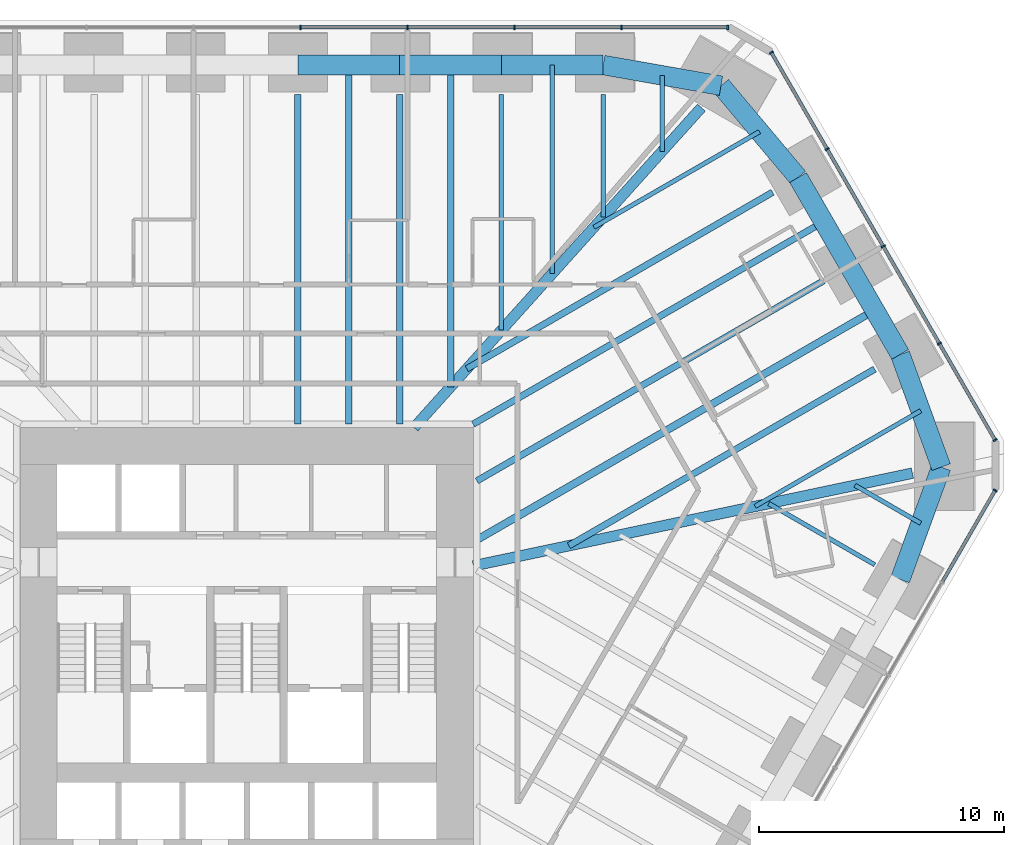
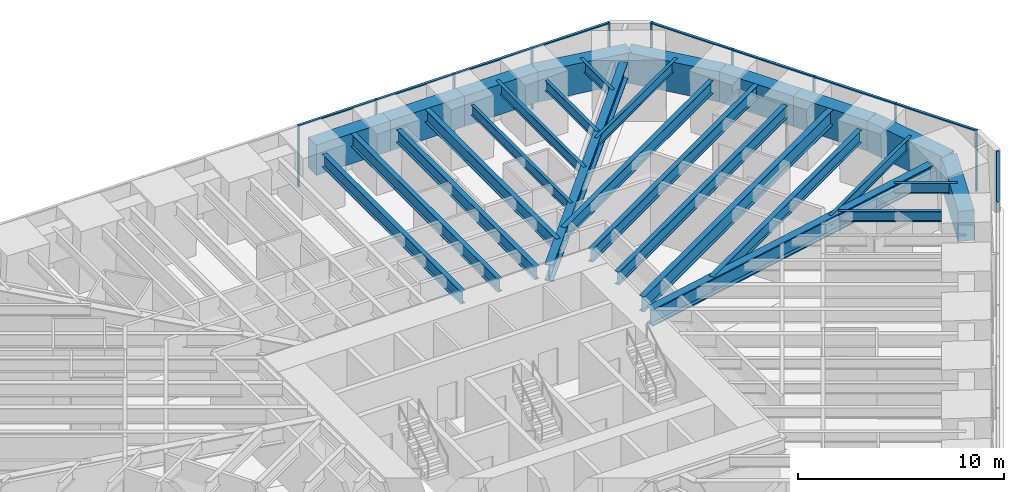
# One storey, part 9 of 17: 28 beams, 20 members, 3 elements without a shape of their own.
"""IFC4 building model written with IfcOpenShell, lengths in metres."""

from ifc_helpers import new_model, si_unit, direction, frame, origin, origin_2d, place, context, subcontext, project, spatial, rectangle, i_section, extrude, material, material_profile, profile_set, type_object, element, aggregate, save


model = new_model("IFC4")

# Units and contexts
model_context = context("Model", 3, precision=1e-05, world=origin(), true_north=direction((0.0, 1.0)))
body_context = subcontext(model_context, "Body", "Model", "MODEL_VIEW")
ifc_project = project(units=[si_unit("LENGTHUNIT", "METRE"), si_unit("AREAUNIT", "SQUARE_METRE"), si_unit("VOLUMEUNIT", "CUBIC_METRE"), si_unit("PLANEANGLEUNIT", "RADIAN"), si_unit("MASSUNIT", "GRAM", prefix="KILO")], contexts=[model_context])

# Site, building, storey
site_placement = place(None, origin())
site = spatial("IfcSite", under=ifc_project, at=site_placement, CompositionType="ELEMENT")
building_placement = place(site_placement, origin())
building = spatial("IfcBuilding", under=site, at=building_placement, Name="Sandreach Pilgrim Tower", CompositionType="ELEMENT")
storey_placement = place(building_placement, frame((0.0, 0.0, 61.0)))
storey = spatial("IfcBuildingStorey", under=building, at=storey_placement, Name="L14", CompositionType="ELEMENT", Elevation=61.0)

# Curtain wall, members
ifc_material_1 = material(Name="Aluminium framed curtain wall", Category="aluminium")
curtain_wall_type = type_object("IfcCurtainWallType", Name="Hostel tower curtain wall", PredefinedType="NOTDEFINED", material=ifc_material_1)
curtain_wall_1_placement = place(storey_placement, origin())
curtain_wall_1 = element("IfcCurtainWall", 1, at=curtain_wall_1_placement, inside=storey, type_object=curtain_wall_type, Name="CW-1 L14 N", PredefinedType="NOTDEFINED")
ifc_material_2 = material(Name="Aluminium extrusion", Category="aluminium")
ifc_material_profile_1 = material_profile(ifc_material_2, rectangle(XDim=0.06494140625, YDim=0.179931640625, at=origin_2d()), Name="CW-1M 65X180")
ifc_profile_set_1 = profile_set([ifc_material_profile_1], Name="Aluminium extrusion")
member_type_1 = type_object("IfcMemberType", Name="CW-1 mullion", PredefinedType="MULLION", material=ifc_profile_set_1)
member_1_placement = place(storey_placement, frame((2.185791015625, 23.94873046875, 0.0), z_axis=(0.0, 0.0, 1.0), x_axis=(1.0, 0.0, 0.0)))
member_1 = element("IfcMember", 2, at=member_1_placement, type_object=member_type_1, Name="CW-1 mullion 6", PredefinedType="MULLION", context=body_context, shape_type="SweptSolid", body=[
    extrude(rectangle(XDim=0.06494140625, YDim=0.179931640625, at=origin_2d()), origin(), (0.0, 0.0, 1.0), 3.639892578125),
])
member_2_placement = place(storey_placement, frame((6.557373046875, 23.94873046875, 0.0), z_axis=(0.0, 0.0, 1.0), x_axis=(1.0, 0.0, 0.0)))
member_2 = element("IfcMember", 3, at=member_2_placement, type_object=member_type_1, Name="CW-1 mullion 7", PredefinedType="MULLION", context=body_context, shape_type="SweptSolid", body=[
    extrude(rectangle(XDim=0.06494140625, YDim=0.179931640625, at=origin_2d()), origin(), (0.0, 0.0, 1.0), 3.639892578125),
])
member_3_placement = place(storey_placement, frame((10.928955078125, 23.94873046875, 0.0), z_axis=(0.0, 0.0, 1.0), x_axis=(1.0, 0.0, 0.0)))
member_3 = element("IfcMember", 4, at=member_3_placement, type_object=member_type_1, Name="CW-1 mullion 8", PredefinedType="MULLION", context=body_context, shape_type="SweptSolid", body=[
    extrude(rectangle(XDim=0.06494140625, YDim=0.179931640625, at=origin_2d()), origin(), (0.0, 0.0, 1.0), 3.639892578125),
])
member_4_placement = place(storey_placement, frame((15.300537109375, 23.94873046875, 0.0), z_axis=(0.0, 0.0, 1.0), x_axis=(1.0, 0.0, 0.0)))
member_4 = element("IfcMember", 5, at=member_4_placement, type_object=member_type_1, Name="CW-1 mullion 9", PredefinedType="MULLION", context=body_context, shape_type="SweptSolid", body=[
    extrude(rectangle(XDim=0.06494140625, YDim=0.179931640625, at=origin_2d()), origin(), (0.0, 0.0, 1.0), 3.639892578125),
])
member_5_placement = place(storey_placement, frame((19.6396484375, 23.94873046875, 0.0), z_axis=(0.0, 0.0, 1.0), x_axis=(1.0, 0.0, 0.0)))
member_5 = element("IfcMember", 6, at=member_5_placement, type_object=member_type_1, Name="CW-1 mullion 10", PredefinedType="MULLION", context=body_context, shape_type="SweptSolid", body=[
    extrude(rectangle(XDim=0.06494140625, YDim=0.179931640625, at=origin_2d()), origin(), (0.0, 0.0, 1.0), 3.639892578125),
])

curtain_wall_2_placement = place(storey_placement, origin())
curtain_wall_2 = element("IfcCurtainWall", 7, at=curtain_wall_2_placement, inside=storey, type_object=curtain_wall_type, Name="CW-1 L14 NE", PredefinedType="NOTDEFINED")
member_6_placement = place(storey_placement, frame((21.42041015625, 22.920654296875, 0.0), z_axis=(0.0, 0.0, 1.0), x_axis=(0.5, -0.866025403784, 0.0)))
member_6 = element("IfcMember", 8, at=member_6_placement, type_object=member_type_1, Name="CW-1 mullion 1", PredefinedType="MULLION", context=body_context, shape_type="SweptSolid", body=[
    extrude(rectangle(XDim=0.06494140625, YDim=0.179931640625, at=origin_2d()), origin(), (0.0, 0.0, 1.0), 3.639892578125),
])
member_7_placement = place(storey_placement, frame((23.697265625, 18.97705078125, 0.0), z_axis=(0.0, 0.0, 1.0), x_axis=(0.5, -0.866025403784, 0.0)))
member_7 = element("IfcMember", 9, at=member_7_placement, type_object=member_type_1, Name="CW-1 mullion 2", PredefinedType="MULLION", context=body_context, shape_type="SweptSolid", body=[
    extrude(rectangle(XDim=0.06494140625, YDim=0.179931640625, at=origin_2d()), origin(), (0.0, 0.0, 1.0), 3.639892578125),
])
member_8_placement = place(storey_placement, frame((25.990234375, 15.00537109375, 0.0), z_axis=(0.0, 0.0, 1.0), x_axis=(0.5, -0.866025403784, 0.0)))
member_8 = element("IfcMember", 10, at=member_8_placement, type_object=member_type_1, Name="CW-1 mullion 3", PredefinedType="MULLION", context=body_context, shape_type="SweptSolid", body=[
    extrude(rectangle(XDim=0.06494140625, YDim=0.179931640625, at=origin_2d()), origin(), (0.0, 0.0, 1.0), 3.639892578125),
])
member_9_placement = place(storey_placement, frame((28.283203125, 11.03369140625, 0.0), z_axis=(0.0, 0.0, 1.0), x_axis=(0.5, -0.866025403784, 0.0)))
member_9 = element("IfcMember", 11, at=member_9_placement, type_object=member_type_1, Name="CW-1 mullion 4", PredefinedType="MULLION", context=body_context, shape_type="SweptSolid", body=[
    extrude(rectangle(XDim=0.06494140625, YDim=0.179931640625, at=origin_2d()), origin(), (0.0, 0.0, 1.0), 3.639892578125),
])
member_10_placement = place(storey_placement, frame((30.56005859375, 7.09033203125, 0.0), z_axis=(0.0, 0.0, 1.0), x_axis=(0.5, -0.866025403784, 0.0)))
member_10 = element("IfcMember", 12, at=member_10_placement, type_object=member_type_1, Name="CW-1 mullion 5", PredefinedType="MULLION", context=body_context, shape_type="SweptSolid", body=[
    extrude(rectangle(XDim=0.06494140625, YDim=0.179931640625, at=origin_2d()), origin(), (0.0, 0.0, 1.0), 3.639892578125),
])

# Curtain wall, member
curtain_wall_3_placement = place(storey_placement, origin())
curtain_wall_3 = element("IfcCurtainWall", 13, at=curtain_wall_3_placement, inside=storey, type_object=curtain_wall_type, Name="CW-1 L14 SE", PredefinedType="NOTDEFINED")
member_11_placement = place(storey_placement, frame((30.56005859375, 5.033935546875, 0.0), z_axis=(0.0, 0.0, 1.0), x_axis=(-0.5, -0.866025403784, 0.0)))
member_11 = element("IfcMember", 14, at=member_11_placement, type_object=member_type_1, Name="CW-1 mullion 1", PredefinedType="MULLION", context=body_context, shape_type="SweptSolid", body=[
    extrude(rectangle(XDim=0.06494140625, YDim=0.179931640625, at=origin_2d()), origin(), (0.0, 0.0, 1.0), 3.639892578125),
])

# Member
ifc_material_3 = material(Name="Aluminium extrusion", Category="aluminium")
ifc_material_profile_2 = material_profile(ifc_material_3, rectangle(XDim=0.139892578125, YDim=0.070068359375, at=origin_2d()), Name="CW-1T 140X70")
ifc_profile_set_2 = profile_set([ifc_material_profile_2], Name="Aluminium extrusion")
member_type_2 = type_object("IfcMemberType", Name="CW-1 transom", PredefinedType="USERDEFINED", material=ifc_profile_set_2)
member_12_placement = place(storey_placement, frame((2.21826171875, 23.94873046875, 3.60498046875), z_axis=(1.0, 0.0, 0.0), x_axis=(0.0, 1.0, 0.0)))
member_12 = element("IfcMember", 15, at=member_12_placement, type_object=member_type_2, Name="CW-1 head transom 6", ObjectType="TRANSOM", PredefinedType="USERDEFINED", context=body_context, shape_type="SweptSolid", body=[
    extrude(rectangle(XDim=0.139892578125, YDim=0.070068359375, at=origin_2d()), origin(), (0.0, 0.0, 1.0), 4.306640625),
])

member_13_placement = place(storey_placement, frame((6.58984375, 23.94873046875, 3.60498046875), z_axis=(1.0, 0.0, 0.0), x_axis=(0.0, 1.0, 0.0)))
member_13 = element("IfcMember", 16, at=member_13_placement, type_object=member_type_2, Name="CW-1 head transom 7", ObjectType="TRANSOM", PredefinedType="USERDEFINED", context=body_context, shape_type="SweptSolid", body=[
    extrude(rectangle(XDim=0.139892578125, YDim=0.070068359375, at=origin_2d()), origin(), (0.0, 0.0, 1.0), 4.306640625),
])

member_14_placement = place(storey_placement, frame((10.96142578125, 23.94873046875, 3.60498046875), z_axis=(1.0, 0.0, 0.0), x_axis=(0.0, 1.0, 0.0)))
member_14 = element("IfcMember", 17, at=member_14_placement, type_object=member_type_2, Name="CW-1 head transom 8", ObjectType="TRANSOM", PredefinedType="USERDEFINED", context=body_context, shape_type="SweptSolid", body=[
    extrude(rectangle(XDim=0.139892578125, YDim=0.070068359375, at=origin_2d()), origin(), (0.0, 0.0, 1.0), 4.306640625),
])

member_15_placement = place(storey_placement, frame((15.3330078125, 23.94873046875, 3.60498046875), z_axis=(1.0, 0.0, 0.0), x_axis=(0.0, 1.0, 0.0)))
member_15 = element("IfcMember", 18, at=member_15_placement, type_object=member_type_2, Name="CW-1 head transom 9", ObjectType="TRANSOM", PredefinedType="USERDEFINED", context=body_context, shape_type="SweptSolid", body=[
    extrude(rectangle(XDim=0.139892578125, YDim=0.070068359375, at=origin_2d()), origin(), (0.0, 0.0, 1.0), 4.274169921875),
])

aggregate(curtain_wall_1, [member_1, member_2, member_3, member_4, member_5, member_12, member_13, member_14, member_15])

member_16_placement = place(storey_placement, frame((21.4365234375, 22.892333984375, 3.60498046875), z_axis=(0.500017500808, -0.866015299452, 0.0), x_axis=(0.866015299452, 0.500017500808, 0.0)))
member_16 = element("IfcMember", 19, at=member_16_placement, type_object=member_type_2, Name="CW-1 head transom 1", ObjectType="TRANSOM", PredefinedType="USERDEFINED", context=body_context, shape_type="SweptSolid", body=[
    extrude(rectangle(XDim=0.139892578125, YDim=0.070068359375, at=origin_2d()), origin(), (0.0, 0.0, 1.0), 4.488525390625),
])

member_17_placement = place(storey_placement, frame((23.71337890625, 18.948974609375, 3.60498046875), z_axis=(0.500001366228, -0.866024614991, 0.0), x_axis=(0.866024614991, 0.500001366228, 0.0)))
member_17 = element("IfcMember", 20, at=member_17_placement, type_object=member_type_2, Name="CW-1 head transom 2", ObjectType="TRANSOM", PredefinedType="USERDEFINED", context=body_context, shape_type="SweptSolid", body=[
    extrude(rectangle(XDim=0.139892578125, YDim=0.070068359375, at=origin_2d()), origin(), (0.0, 0.0, 1.0), 4.52099609375),
])

member_18_placement = place(storey_placement, frame((26.00634765625, 14.977294921875, 3.60498046875), z_axis=(0.500001366228, -0.866024614991, 0.0), x_axis=(0.866024614991, 0.500001366228, 0.0)))
member_18 = element("IfcMember", 21, at=member_18_placement, type_object=member_type_2, Name="CW-1 head transom 3", ObjectType="TRANSOM", PredefinedType="USERDEFINED", context=body_context, shape_type="SweptSolid", body=[
    extrude(rectangle(XDim=0.139892578125, YDim=0.070068359375, at=origin_2d()), origin(), (0.0, 0.0, 1.0), 4.52099609375),
])

member_19_placement = place(storey_placement, frame((28.299560546875, 11.005615234375, 3.60498046875), z_axis=(0.499976706761, -0.866038851724, 0.0), x_axis=(0.866038851724, 0.499976706761, 0.0)))
member_19 = element("IfcMember", 22, at=member_19_placement, type_object=member_type_2, Name="CW-1 head transom 4", ObjectType="TRANSOM", PredefinedType="USERDEFINED", context=body_context, shape_type="SweptSolid", body=[
    extrude(rectangle(XDim=0.139892578125, YDim=0.070068359375, at=origin_2d()), origin(), (0.0, 0.0, 1.0), 4.488525390625),
])

aggregate(curtain_wall_2, [member_6, member_7, member_8, member_9, member_10, member_16, member_17, member_18, member_19])

member_20_placement = place(storey_placement, frame((30.543701171875, 5.005859375, 3.60498046875), z_axis=(-0.499991113271, -0.866030534479, 0.0), x_axis=(0.866030534479, -0.499991113271, 0.0)))
member_20 = element("IfcMember", 23, at=member_20_placement, type_object=member_type_2, Name="CW-1 head transom 1", ObjectType="TRANSOM", PredefinedType="USERDEFINED", context=body_context, shape_type="SweptSolid", body=[
    extrude(rectangle(XDim=0.139892578125, YDim=0.070068359375, at=origin_2d()), origin(), (0.0, 0.0, 1.0), 4.27392578125),
])

aggregate(curtain_wall_3, [member_11, member_20])

# Beams
ifc_material_4 = material(Name="Steel ASTM A992 Grade 50", Category="steel")
ifc_material_profile_3 = material_profile(ifc_material_4, i_section(OverallWidth=0.431884765625, OverallDepth=0.988037109375, WebThickness=0.034423828125, FlangeThickness=0.06201171875, at=origin_2d()), Name="W36X441")
ifc_profile_set_3 = profile_set([ifc_material_profile_3], Name="Steel ASTM A992 Grade 50")
beam_type_1 = type_object("IfcBeamType", Name="Corner girder W36X441", PredefinedType="BEAM", material=ifc_profile_set_3)
beam_1_placement = place(storey_placement, frame((18.5615234375, 20.671142578125, 3.14599609375), z_axis=(-0.668126629725, -0.744047583594, 0.0), x_axis=(0.744047583594, -0.668126629725, 0.0)))
element("IfcBeam", 24, at=beam_1_placement, inside=storey, type_object=beam_type_1, Name="BM L14 CG09", PredefinedType="BEAM", context=body_context, shape_type="SweptSolid", body=[
    extrude(i_section(OverallWidth=0.431884765625, OverallDepth=0.988037109375, WebThickness=0.034423828125, FlangeThickness=0.06201171875, at=origin_2d()), origin(), (0.0, 0.0, 1.0), 17.5673828125),
])
ifc_material_5 = material(Name="Steel ASTM A992 Grade 50", Category="steel")
ifc_material_profile_4 = material_profile(ifc_material_5, i_section(OverallWidth=0.434326171875, OverallDepth=0.998291015625, WebThickness=0.0380859375, FlangeThickness=0.068115234375, at=origin_2d()), Name="W36X487")
ifc_profile_set_4 = profile_set([ifc_material_profile_4], Name="Steel ASTM A992 Grade 50")
beam_type_2 = type_object("IfcBeamType", Name="Corner girder W36X487", PredefinedType="BEAM", material=ifc_profile_set_4)
beam_2_placement = place(storey_placement, frame((27.182373046875, 5.739013671875, 3.140869140625), z_axis=(-0.978429767066, -0.206579744696, 0.0), x_axis=(0.206579744696, -0.978429767066, 0.0)))
element("IfcBeam", 25, at=beam_2_placement, inside=storey, type_object=beam_type_2, Name="BM L14 CG13", PredefinedType="BEAM", context=body_context, shape_type="SweptSolid", body=[
    extrude(i_section(OverallWidth=0.434326171875, OverallDepth=0.998291015625, WebThickness=0.0380859375, FlangeThickness=0.068115234375, at=origin_2d()), origin(), (0.0, 0.0, 1.0), 18.32763671875),
])
ifc_material_6 = material(Name="Steel ASTM A992 Grade 50", Category="steel")
ifc_material_profile_5 = material_profile(ifc_material_6, i_section(OverallWidth=0.1787109375, OverallDepth=0.60205078125, WebThickness=0.010986328125, FlangeThickness=0.014892578125, at=origin_2d()), Name="W24X62")
ifc_profile_set_5 = profile_set([ifc_material_profile_5], Name="Steel ASTM A992 Grade 50")
beam_type_3 = type_object("IfcBeamType", Name="Floor beam W24X62", PredefinedType="BEAM", material=ifc_profile_set_5)
beam_3_placement = place(storey_placement, frame((10.395263671875, 21.20947265625, 3.339111328125), z_axis=(0.0, -1.0, 0.0), x_axis=(1.0, 0.0, 0.0)))
element("IfcBeam", 26, at=beam_3_placement, inside=storey, type_object=beam_type_3, Name="BM L14 F07", PredefinedType="BEAM", context=body_context, shape_type="SweptSolid", body=[
    extrude(i_section(OverallWidth=0.1787109375, OverallDepth=0.60205078125, WebThickness=0.010986328125, FlangeThickness=0.014892578125, at=origin_2d()), origin(), (0.0, 0.0, 1.0), 9.632568359375),
])
for number, where, z_axis, x_axis, name in (
    (27, (14.553466796875, 21.20947265625, 3.339111328125), (0.0, -1.0, 0.0), (1.0, 0.0, 0.0), "BM L14 F08"),
    (28, (25.64453125, 1.998779296875, 3.339111328125), (-0.866023836113, 0.500002715276, 0.0), (-0.500002715276, -0.866023836113, 0.0), "BM L14 F14"),
):
    element("IfcBeam", number, at=place(storey_placement, frame(where, z_axis=z_axis, x_axis=x_axis)), inside=storey, type_object=beam_type_3, Name=name, PredefinedType="BEAM", context=body_context, shape_type="SweptSolid", body=[
        extrude(i_section(OverallWidth=0.1787109375, OverallDepth=0.60205078125, WebThickness=0.010986328125, FlangeThickness=0.014892578125, at=origin_2d()), origin(), (0.0, 0.0, 1.0), 5.001953125),
    ])
beam_4_placement = place(storey_placement, frame((12.474365234375, 22.409423828125, 3.339111328125), z_axis=(0.0, -1.0, 0.0), x_axis=(1.0, 0.0, 0.0)))
element("IfcBeam", 29, at=beam_4_placement, inside=storey, type_object=beam_type_3, Name="BM L14 FM07", PredefinedType="BEAM", context=body_context, shape_type="SweptSolid", body=[
    extrude(i_section(OverallWidth=0.1787109375, OverallDepth=0.60205078125, WebThickness=0.010986328125, FlangeThickness=0.014892578125, at=origin_2d()), origin(), (0.0, 0.0, 1.0), 8.517333984375),
])
beam_5_placement = place(storey_placement, frame((16.958251953125, 21.98681640625, 3.339111328125), z_axis=(0.0, -1.0, 0.0), x_axis=(1.0, 0.0, 0.0)))
element("IfcBeam", 30, at=beam_5_placement, inside=storey, type_object=beam_type_3, Name="BM L14 FM08", PredefinedType="BEAM", context=body_context, shape_type="SweptSolid", body=[
    extrude(i_section(OverallWidth=0.1787109375, OverallDepth=0.60205078125, WebThickness=0.010986328125, FlangeThickness=0.014892578125, at=origin_2d()), origin(), (0.0, 0.0, 1.0), 3.10107421875),
])
beam_6_placement = place(storey_placement, frame((20.937255859375, 19.6884765625, 3.339111328125), z_axis=(-0.86603830438, -0.499977654847, 0.0), x_axis=(0.499977654847, -0.86603830438, 0.0)))
element("IfcBeam", 31, at=beam_6_placement, inside=storey, type_object=beam_type_3, Name="BM L14 FM09", PredefinedType="BEAM", context=body_context, shape_type="SweptSolid", body=[
    extrude(i_section(OverallWidth=0.1787109375, OverallDepth=0.60205078125, WebThickness=0.010986328125, FlangeThickness=0.014892578125, at=origin_2d()), origin(), (0.0, 0.0, 1.0), 7.811767578125),
])
beam_7_placement = place(storey_placement, frame((27.51953125, 8.287841796875, 3.339111328125), z_axis=(-0.866024771944, -0.500001094379, 0.0), x_axis=(0.500001094379, -0.866024771944, 0.0)))
element("IfcBeam", 32, at=beam_7_placement, inside=storey, type_object=beam_type_3, Name="BM L14 FM12", PredefinedType="BEAM", context=body_context, shape_type="SweptSolid", body=[
    extrude(i_section(OverallWidth=0.1787109375, OverallDepth=0.60205078125, WebThickness=0.010986328125, FlangeThickness=0.014892578125, at=origin_2d()), origin(), (0.0, 0.0, 1.0), 7.81201171875),
])
beam_8_placement = place(storey_placement, frame((27.520263671875, 3.69287109375, 3.339111328125), z_axis=(-0.86602039108, 0.500008682159, 0.0), x_axis=(-0.500008682159, -0.86602039108, 0.0)))
element("IfcBeam", 33, at=beam_8_placement, inside=storey, type_object=beam_type_3, Name="BM L14 FM13", PredefinedType="BEAM", context=body_context, shape_type="SweptSolid", body=[
    extrude(i_section(OverallWidth=0.1787109375, OverallDepth=0.60205078125, WebThickness=0.010986328125, FlangeThickness=0.014892578125, at=origin_2d()), origin(), (0.0, 0.0, 1.0), 3.10107421875),
])
ifc_material_7 = material(Name="Steel ASTM A992 Grade 50", Category="steel")
ifc_material_profile_6 = material_profile(ifc_material_7, i_section(OverallWidth=0.2666015625, OverallDepth=0.761962890625, WebThickness=0.014404296875, FlangeThickness=0.021484375, at=origin_2d()), Name="W30X116")
ifc_profile_set_6 = profile_set([ifc_material_profile_6], Name="Steel ASTM A992 Grade 50")
beam_type_4 = type_object("IfcBeamType", Name="Floor beam W30X116", PredefinedType="BEAM", material=ifc_profile_set_6)
for number, where, z_axis, x_axis, name in (
    (34, (2.0791015625, 21.20947265625, 3.259033203125), (0.0, -1.0, 0.0), (1.0, 0.0, 0.0), "BM L14 F05"),
    (35, (6.237060546875, 21.20947265625, 3.259033203125), (0.0, -1.0, 0.0), (1.0, 0.0, 0.0), "BM L14 F06"),
):
    element("IfcBeam", number, at=place(storey_placement, frame(where, z_axis=z_axis, x_axis=x_axis)), inside=storey, type_object=beam_type_4, Name=name, PredefinedType="BEAM", context=body_context, shape_type="SweptSolid", body=[
        extrude(i_section(OverallWidth=0.2666015625, OverallDepth=0.761962890625, WebThickness=0.014404296875, FlangeThickness=0.021484375, at=origin_2d()), origin(), (0.0, 0.0, 1.0), 13.466064453125),
    ])
beam_9_placement = place(storey_placement, frame((21.471923828125, 17.213134765625, 3.259033203125), z_axis=(-0.866026331101, -0.499998393838, 0.0), x_axis=(0.499998393838, -0.866026331101, 0.0)))
element("IfcBeam", 36, at=beam_9_placement, inside=storey, type_object=beam_type_4, Name="BM L14 F10", PredefinedType="BEAM", context=body_context, shape_type="SweptSolid", body=[
    extrude(i_section(OverallWidth=0.2666015625, OverallDepth=0.761962890625, WebThickness=0.014404296875, FlangeThickness=0.021484375, at=origin_2d()), origin(), (0.0, 0.0, 1.0), 14.423828125),
])
beam_10_placement = place(storey_placement, frame((25.64306640625, 9.98876953125, 3.259033203125), z_axis=(-0.866019001848, -0.500011088314, 0.0), x_axis=(0.500011088314, -0.866019001848, 0.0)))
element("IfcBeam", 37, at=beam_10_placement, inside=storey, type_object=beam_type_4, Name="BM L14 F12", PredefinedType="BEAM", context=body_context, shape_type="SweptSolid", body=[
    extrude(i_section(OverallWidth=0.2666015625, OverallDepth=0.761962890625, WebThickness=0.014404296875, FlangeThickness=0.021484375, at=origin_2d()), origin(), (0.0, 0.0, 1.0), 14.424072265625),
])
beam_11_placement = place(storey_placement, frame((4.158203125, 22.409423828125, 3.259033203125), z_axis=(0.0, -1.0, 0.0), x_axis=(1.0, 0.0, 0.0)))
element("IfcBeam", 38, at=beam_11_placement, inside=storey, type_object=beam_type_4, Name="BM L14 FM05", PredefinedType="BEAM", context=body_context, shape_type="SweptSolid", body=[
    extrude(i_section(OverallWidth=0.2666015625, OverallDepth=0.761962890625, WebThickness=0.014404296875, FlangeThickness=0.021484375, at=origin_2d()), origin(), (0.0, 0.0, 1.0), 14.666015625),
])
beam_12_placement = place(storey_placement, frame((8.316162109375, 22.409423828125, 3.259033203125), z_axis=(0.0, -1.0, 0.0), x_axis=(1.0, 0.0, 0.0)))
element("IfcBeam", 39, at=beam_12_placement, inside=storey, type_object=beam_type_4, Name="BM L14 FM06", PredefinedType="BEAM", context=body_context, shape_type="SweptSolid", body=[
    extrude(i_section(OverallWidth=0.2666015625, OverallDepth=0.761962890625, WebThickness=0.014404296875, FlangeThickness=0.021484375, at=origin_2d()), origin(), (0.0, 0.0, 1.0), 13.14794921875),
])
ifc_material_8 = material(Name="Steel ASTM A992 Grade 50", Category="steel")
ifc_material_profile_7 = material_profile(ifc_material_8, i_section(OverallWidth=0.2666015625, OverallDepth=0.77978515625, WebThickness=0.0166015625, FlangeThickness=0.030029296875, at=origin_2d()), Name="W30X148")
ifc_profile_set_7 = profile_set([ifc_material_profile_7], Name="Steel ASTM A992 Grade 50")
beam_type_5 = type_object("IfcBeamType", Name="Floor beam W30X148", PredefinedType="BEAM", material=ifc_profile_set_7)
beam_13_placement = place(storey_placement, frame((23.5576171875, 13.600830078125, 3.25), z_axis=(-0.866032711316, -0.499987342771, 0.0), x_axis=(0.499987342771, -0.866032711316, 0.0)))
element("IfcBeam", 40, at=beam_13_placement, inside=storey, type_object=beam_type_5, Name="BM L14 F11", PredefinedType="BEAM", context=body_context, shape_type="SweptSolid", body=[
    extrude(i_section(OverallWidth=0.2666015625, OverallDepth=0.77978515625, WebThickness=0.0166015625, FlangeThickness=0.030029296875, at=origin_2d()), origin(), (0.0, 0.0, 1.0), 16.35546875),
])
beam_14_placement = place(storey_placement, frame((23.553955078125, 16.007080078125, 3.25), z_axis=(-0.866027413725, -0.499996518665, 0.0), x_axis=(0.499996518665, -0.866027413725, 0.0)))
element("IfcBeam", 41, at=beam_14_placement, inside=storey, type_object=beam_type_5, Name="BM L14 FM10", PredefinedType="BEAM", context=body_context, shape_type="SweptSolid", body=[
    extrude(i_section(OverallWidth=0.2666015625, OverallDepth=0.77978515625, WebThickness=0.0166015625, FlangeThickness=0.030029296875, at=origin_2d()), origin(), (0.0, 0.0, 1.0), 16.52734375),
])
ifc_material_9 = material(Name="Steel ASTM A992 Grade 50", Category="steel")
ifc_material_profile_8 = material_profile(ifc_material_9, i_section(OverallWidth=0.3046875, OverallDepth=0.914306640625, WebThickness=0.0166015625, FlangeThickness=0.02587890625, at=origin_2d()), Name="W36X160")
ifc_profile_set_8 = profile_set([ifc_material_profile_8], Name="Steel ASTM A992 Grade 50")
beam_type_6 = type_object("IfcBeamType", Name="Floor beam W36X160", PredefinedType="BEAM", material=ifc_profile_set_8)
beam_15_placement = place(storey_placement, frame((25.639404296875, 12.394775390625, 3.182861328125), z_axis=(-0.86602651008, -0.499998083836, 0.0), x_axis=(0.499998083836, -0.86602651008, 0.0)))
element("IfcBeam", 42, at=beam_15_placement, inside=storey, type_object=beam_type_6, Name="BM L14 FM11", PredefinedType="BEAM", context=body_context, shape_type="SweptSolid", body=[
    extrude(i_section(OverallWidth=0.3046875, OverallDepth=0.914306640625, WebThickness=0.0166015625, FlangeThickness=0.02587890625, at=origin_2d()), origin(), (0.0, 0.0, 1.0), 18.75927734375),
])
ifc_material_10 = material(Name="Concrete 10000 psi", Category="concrete")
ifc_material_profile_9 = material_profile(ifc_material_10, rectangle(XDim=0.800048828125, YDim=1.800048828125, at=origin_2d()), Name="RC800X1800")
ifc_profile_set_9 = profile_set([ifc_material_profile_9], Name="Concrete 10000 psi")
beam_type_7 = type_object("IfcBeamType", Name="Spandrel beam RC800X1800", PredefinedType="SPANDREL", material=ifc_profile_set_9)
beam_16_placement = place(storey_placement, frame((2.0791015625, 22.409423828125, 2.739990234375), z_axis=(1.0, 0.0, 0.0), x_axis=(0.0, 1.0, 0.0)))
element("IfcBeam", 43, at=beam_16_placement, inside=storey, type_object=beam_type_7, Name="BM L14 SP05", PredefinedType="SPANDREL", context=body_context, shape_type="SweptSolid", body=[
    extrude(rectangle(XDim=0.800048828125, YDim=1.800048828125, at=origin_2d()), origin(), (0.0, 0.0, 1.0), 4.157958984375),
])
for number, where, z_axis, x_axis, name in (
    (44, (6.237060546875, 22.409423828125, 2.739990234375), (1.0, 0.0, 0.0), (0.0, 1.0, 0.0), "BM L14 SP06"),
    (45, (10.395263671875, 22.409423828125, 2.739990234375), (1.0, 0.0, 0.0), (0.0, 1.0, 0.0), "BM L14 SP07"),
):
    element("IfcBeam", number, at=place(storey_placement, frame(where, z_axis=z_axis, x_axis=x_axis)), inside=storey, type_object=beam_type_7, Name=name, PredefinedType="SPANDREL", context=body_context, shape_type="SweptSolid", body=[
        extrude(rectangle(XDim=0.800048828125, YDim=1.800048828125, at=origin_2d()), origin(), (0.0, 0.0, 1.0), 4.158203125),
    ])
beam_17_placement = place(storey_placement, frame((14.553466796875, 22.409423828125, 2.739990234375), z_axis=(0.984900097302, -0.173123650422, 0.0), x_axis=(0.173123650422, 0.984900097302, 0.0)))
element("IfcBeam", 46, at=beam_17_placement, inside=storey, type_object=beam_type_7, Name="BM L14 SP08", PredefinedType="SPANDREL", context=body_context, shape_type="SweptSolid", body=[
    extrude(rectangle(XDim=0.800048828125, YDim=1.800048828125, at=origin_2d()), origin(), (0.0, 0.0, 1.0), 4.883544921875),
])
beam_18_placement = place(storey_placement, frame((19.36328125, 21.56396484375, 2.739990234375), z_axis=(0.642872815857, -0.765972938577, 0.0), x_axis=(0.765972938577, 0.642872815857, 0.0)))
element("IfcBeam", 47, at=beam_18_placement, inside=storey, type_object=beam_type_7, Name="BM L14 SP09", PredefinedType="SPANDREL", context=body_context, shape_type="SweptSolid", body=[
    extrude(rectangle(XDim=0.800048828125, YDim=1.800048828125, at=origin_2d()), origin(), (0.0, 0.0, 1.0), 4.896728515625),
])
for number, where, z_axis, x_axis, name in (
    (48, (22.51123046875, 17.813232421875, 2.739990234375), (0.499979166188, -0.866037431857, 0.0), (0.866037431857, 0.499979166188, 0.0), "BM L14 SP10"),
    (49, (24.5966796875, 14.200927734375, 2.739990234375), (0.500023064377, -0.86601208715, 0.0), (0.86601208715, 0.500023064377, 0.0), "BM L14 SP11"),
):
    element("IfcBeam", number, at=place(storey_placement, frame(where, z_axis=z_axis, x_axis=x_axis)), inside=storey, type_object=beam_type_7, Name=name, PredefinedType="SPANDREL", context=body_context, shape_type="SweptSolid", body=[
        extrude(rectangle(XDim=0.800048828125, YDim=1.800048828125, at=origin_2d()), origin(), (0.0, 0.0, 1.0), 4.171142578125),
    ])
beam_19_placement = place(storey_placement, frame((26.682373046875, 10.588623046875, 2.739990234375), z_axis=(0.341927204152, -0.939726442674, 0.0), x_axis=(0.939726442674, 0.341927204152, 0.0)))
element("IfcBeam", 50, at=beam_19_placement, inside=storey, type_object=beam_type_7, Name="BM L14 SP12", PredefinedType="SPANDREL", context=body_context, shape_type="SweptSolid", body=[
    extrude(rectangle(XDim=0.800048828125, YDim=1.800048828125, at=origin_2d()), origin(), (0.0, 0.0, 1.0), 4.896728515625),
])
beam_20_placement = place(storey_placement, frame((28.356689453125, 5.987060546875, 2.739990234375), z_axis=(-0.342545730925, -0.939501156053, 0.0), x_axis=(0.939501156053, -0.342545730925, 0.0)))
element("IfcBeam", 51, at=beam_20_placement, inside=storey, type_object=beam_type_7, Name="BM L14 SP13", PredefinedType="SPANDREL", context=body_context, shape_type="SweptSolid", body=[
    extrude(rectangle(XDim=0.800048828125, YDim=1.800048828125, at=origin_2d()), origin(), (0.0, 0.0, 1.0), 4.883544921875),
])

save(model, "model.ifc")
